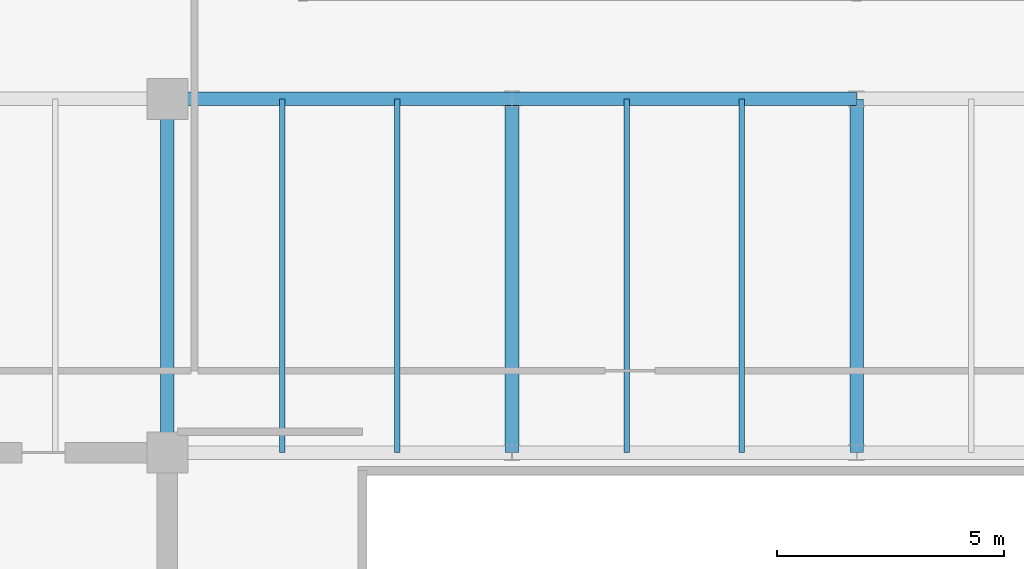
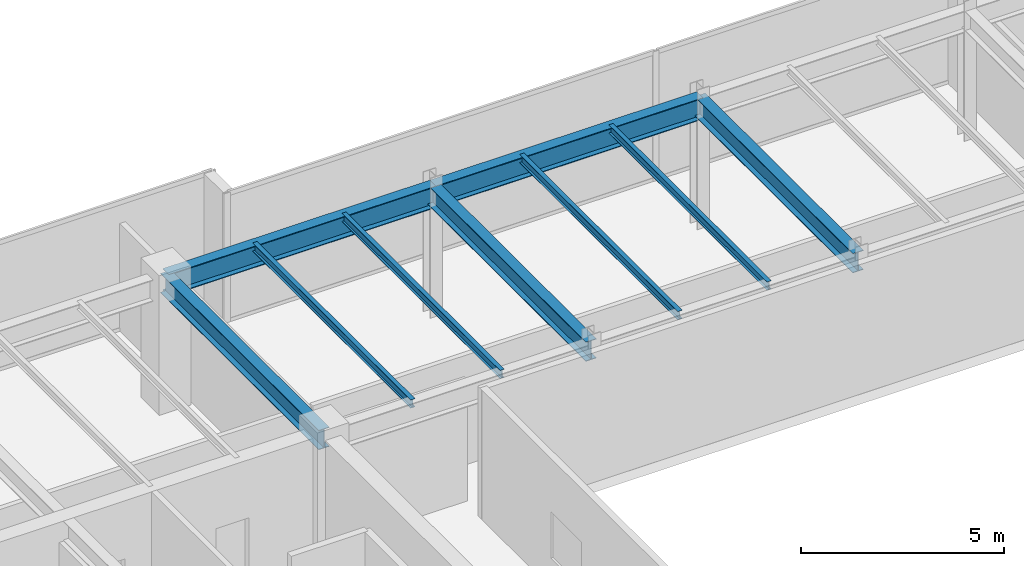
# One storey, part 21 of 31: 9 beams.
"""IFC4 building model written with IfcOpenShell, lengths in metres."""

from ifc_helpers import new_model, si_unit, direction, frame, origin, origin_2d, place, context, subcontext, project, spatial, i_section, extrude, source, transform, mapped, material, material_profile, profile_set, type_object, type_shapes, element, save


model = new_model("IFC4")

# Units and contexts
model_context = context("Model", 3, precision=1e-05, world=origin(), true_north=direction((0.0, 1.0)))
body_context = subcontext(model_context, "Body", "Model", "MODEL_VIEW")
ifc_project = project(units=[si_unit("LENGTHUNIT", "METRE"), si_unit("AREAUNIT", "SQUARE_METRE"), si_unit("VOLUMEUNIT", "CUBIC_METRE"), si_unit("PLANEANGLEUNIT", "RADIAN"), si_unit("MASSUNIT", "GRAM", prefix="KILO")], contexts=[model_context])

# Site, building, storey
site_placement = place(None, origin())
site = spatial("IfcSite", under=ifc_project, at=site_placement, CompositionType="ELEMENT")
building_placement = place(site_placement, origin())
building = spatial("IfcBuilding", under=site, at=building_placement, Name="Haelvirn Gate Laboratories", CompositionType="ELEMENT")
storey_placement = place(building_placement, frame((0.0, 0.0, 318.60009765625)))
storey = spatial("IfcBuildingStorey", under=building, at=storey_placement, Name="L76", CompositionType="ELEMENT", Elevation=318.60009765625)

# Beams
ifc_material = material(Name="Steel SM355", Category="steel")
ifc_material_profile_1 = material_profile(ifc_material, i_section(OverallWidth=0.300048828125, OverallDepth=0.587890625, WebThickness=0.011962890625, FlangeThickness=0.02001953125, at=origin_2d()), Name="H-588x300x12x20")
ifc_profile_set_1 = profile_set([ifc_material_profile_1], Name="Steel SM355")
beam_type_1 = type_object("IfcBeamType", Name="BM-G-588", PredefinedType="BEAM", material=ifc_profile_set_1)
shared_shape_1 = source(origin(), body_context, "Body", "SweptSolid", [
    extrude(i_section(OverallWidth=0.300048828125, OverallDepth=0.587890625, WebThickness=0.011962890625, FlangeThickness=0.02001953125, at=origin_2d()), origin(), (0.0, 0.0, 1.0), 7.800048828125),
])
type_shapes(beam_type_1, [shared_shape_1])
for number, where, z_axis, x_axis, name in (
    (1, (22.199951171875, 33.800048828125, 3.60595703125), (0.0, 1.0, 0.0), (-1.0, 0.0, 0.0), "L76 Frame Girder X22.2 (33.8-41.6)"),
    (2, (29.800048828125, 33.800048828125, 3.60595703125), (0.0, 1.0, 0.0), (-1.0, 0.0, 0.0), "L76 Frame Girder X29.8 (33.8-41.6)"),
    (3, (37.39990234375, 33.800048828125, 3.60595703125), (0.0, 1.0, 0.0), (-1.0, 0.0, 0.0), "L76 Frame Girder X37.4 (33.8-41.6)"),
):
    element("IfcBeam", number, at=place(storey_placement, frame(where, z_axis=z_axis, x_axis=x_axis)), inside=storey, type_object=beam_type_1, Name=name, PredefinedType="BEAM", context=body_context, shape_type="MappedRepresentation", body=[
        mapped(shared_shape_1, transform((0.0, 0.0, 0.0), scale=1.0)),
    ])
ifc_material_profile_2 = material_profile(ifc_material, i_section(OverallWidth=0.300048828125, OverallDepth=0.64990234375, WebThickness=0.012939453125, FlangeThickness=0.02197265625, at=origin_2d()), Name="H-650x300x13x22")
ifc_profile_set_2 = profile_set([ifc_material_profile_2], Name="Steel SM355")
beam_type_2 = type_object("IfcBeamType", Name="BM-G-650", PredefinedType="BEAM", material=ifc_profile_set_2)
shared_shape_2 = source(origin(), body_context, "Body", "SweptSolid", [
    extrude(i_section(OverallWidth=0.300048828125, OverallDepth=0.64990234375, WebThickness=0.012939453125, FlangeThickness=0.02197265625, at=origin_2d()), origin(), (0.0, 0.0, 1.0), 7.60009765625),
])
beam_1_placement = place(storey_placement, frame((22.199951171875, 41.60009765625, 3.574951171875), z_axis=(1.0, 0.0, 0.0), x_axis=(0.0, 1.0, 0.0)))
element("IfcBeam", 4, at=beam_1_placement, inside=storey, type_object=beam_type_2, Name="L76 Primary Girder Y41.6 (22.2-29.8)", PredefinedType="BEAM", context=body_context, shape_type="MappedRepresentation", body=[
    mapped(shared_shape_2, transform((0.0, 0.0, 0.0), scale=1.0)),
])
shared_shape_3 = source(origin(), body_context, "Body", "SweptSolid", [
    extrude(i_section(OverallWidth=0.300048828125, OverallDepth=0.64990234375, WebThickness=0.012939453125, FlangeThickness=0.02197265625, at=origin_2d()), origin(), (0.0, 0.0, 1.0), 7.599853515625),
])
type_shapes(beam_type_2, [shared_shape_2, shared_shape_3])
beam_2_placement = place(storey_placement, frame((29.800048828125, 41.60009765625, 3.574951171875), z_axis=(1.0, 0.0, 0.0), x_axis=(0.0, 1.0, 0.0)))
element("IfcBeam", 5, at=beam_2_placement, inside=storey, type_object=beam_type_2, Name="L76 Primary Girder Y41.6 (29.8-37.4)", PredefinedType="BEAM", context=body_context, shape_type="MappedRepresentation", body=[
    mapped(shared_shape_3, transform((0.0, 0.0, 0.0), scale=1.0)),
])
ifc_material_profile_3 = material_profile(ifc_material, i_section(OverallWidth=0.125, OverallDepth=0.25, WebThickness=0.006103515625, FlangeThickness=0.009033203125, at=origin_2d()), Name="H-250x125x6x9")
ifc_profile_set_3 = profile_set([ifc_material_profile_3], Name="Steel SM355")
beam_type_3 = type_object("IfcBeamType", Name="BM-J-250", PredefinedType="JOIST", material=ifc_profile_set_3)
shared_shape_4 = source(origin(), body_context, "Body", "SweptSolid", [
    extrude(i_section(OverallWidth=0.125, OverallDepth=0.25, WebThickness=0.006103515625, FlangeThickness=0.009033203125, at=origin_2d()), origin(), (0.0, 0.0, 1.0), 7.800048828125),
])
type_shapes(beam_type_3, [shared_shape_4])
for number, where, z_axis, x_axis, name in (
    (6, (24.72998046875, 33.800048828125, 3.77490234375), (0.0, 1.0, 0.0), (-1.0, 0.0, 0.0), "L76 Composite Lab Joist North X24.73"),
    (7, (27.27001953125, 33.800048828125, 3.77490234375), (0.0, 1.0, 0.0), (-1.0, 0.0, 0.0), "L76 Composite Lab Joist North X27.27"),
    (8, (32.330078125, 33.800048828125, 3.77490234375), (0.0, 1.0, 0.0), (-1.0, 0.0, 0.0), "L76 Composite Lab Joist North X32.33"),
    (9, (34.8701171875, 33.800048828125, 3.77490234375), (0.0, 1.0, 0.0), (-1.0, 0.0, 0.0), "L76 Composite Lab Joist North X34.87"),
):
    element("IfcBeam", number, at=place(storey_placement, frame(where, z_axis=z_axis, x_axis=x_axis)), inside=storey, type_object=beam_type_3, Name=name, PredefinedType="JOIST", context=body_context, shape_type="MappedRepresentation", body=[
        mapped(shared_shape_4, transform((0.0, 0.0, 0.0), scale=1.0)),
    ])

save(model, "model.ifc")
